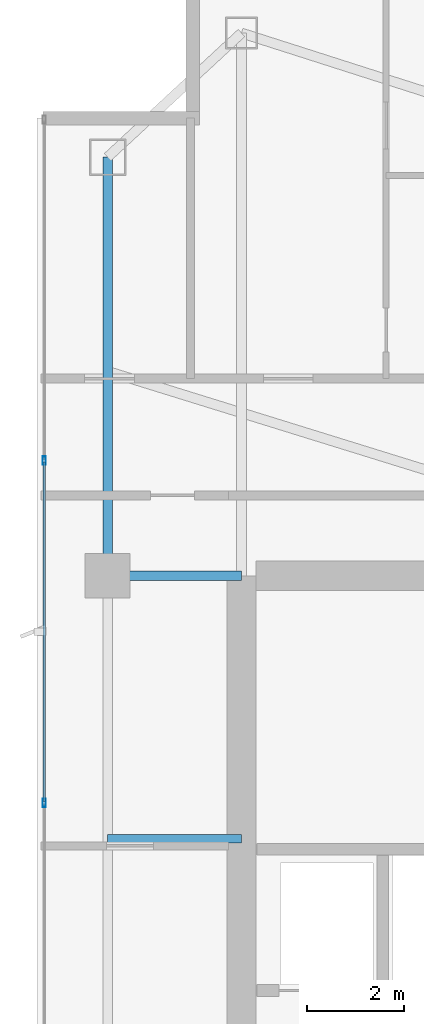
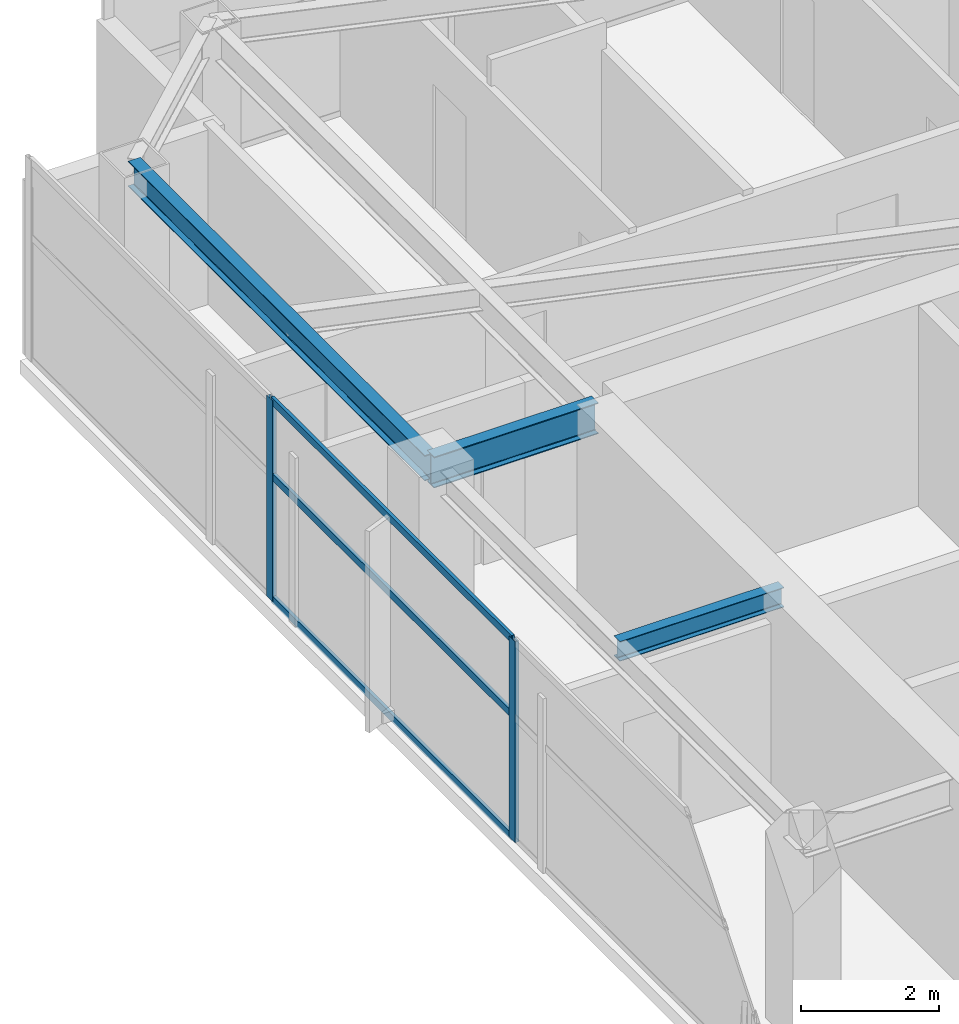
# One storey, part 16 of 28: 5 members, 3 beams, 1 element without a shape of its own.
"""IFC4 building model written with IfcOpenShell, lengths in metres."""

from ifc_helpers import new_model, si_unit, direction, frame, origin, origin_2d, place, context, subcontext, project, spatial, hollow_rectangle, i_section, extrude, material, layer, layer_set, material_profile, profile_set, type_object, element, aggregate, save


model = new_model("IFC4")

# Units and contexts
model_context = context("Model", 3, precision=1e-05, world=origin(), true_north=direction((0.0, 1.0)))
body_context = subcontext(model_context, "Body", "Model", "MODEL_VIEW")
ifc_project = project(units=[si_unit("LENGTHUNIT", "METRE"), si_unit("AREAUNIT", "SQUARE_METRE"), si_unit("VOLUMEUNIT", "CUBIC_METRE"), si_unit("PLANEANGLEUNIT", "RADIAN"), si_unit("MASSUNIT", "GRAM", prefix="KILO")], contexts=[model_context])

# Site, building, storey
site_placement = place(None, origin())
site = spatial("IfcSite", under=ifc_project, at=site_placement, CompositionType="ELEMENT")
building_placement = place(site_placement, origin())
building = spatial("IfcBuilding", under=site, at=building_placement, Name="Calvorn Quay Hotel", CompositionType="ELEMENT")
storey_placement = place(building_placement, frame((0.0, 0.0, 267.300048828125)))
storey = spatial("IfcBuildingStorey", under=building, at=storey_placement, Name="L66", CompositionType="ELEMENT", Elevation=267.300048828125)

# Beams
ifc_material_1 = material(Name="Steel Q355B", Category="steel")
ifc_material_profile_1 = material_profile(ifc_material_1, i_section(OverallWidth=0.199951171875, OverallDepth=0.550048828125, WebThickness=0.010009765625, FlangeThickness=0.01611328125, FilletRadius=0.01806640625, at=origin_2d()), Name="HN550x200x10x16")
ifc_profile_set_1 = profile_set([ifc_material_profile_1], Name="Steel Q355B")
beam_type_1 = type_object("IfcBeamType", Name="BM-GIRD-UPP", PredefinedType="BEAM", material=ifc_profile_set_1)
beam_1_placement = place(storey_placement, frame((1.449951171875, 38.39990234375, 3.264892578125), z_axis=(1.0, 0.0, 0.0), x_axis=(0.0, 1.0, 0.0)))
element("IfcBeam", 1, at=beam_1_placement, inside=storey, type_object=beam_type_1, Name="Beam BG-L66-W3", PredefinedType="BEAM", context=body_context, shape_type="SweptSolid", body=[
    extrude(i_section(OverallWidth=0.199951171875, OverallDepth=0.550048828125, WebThickness=0.010009765625, FlangeThickness=0.01611328125, FilletRadius=0.01806640625, at=origin_2d()), origin(), (0.0, 0.0, 1.0), 2.75),
])
ifc_material_2 = material(Name="Steel Q355B", Category="steel")
ifc_material_profile_2 = material_profile(ifc_material_2, i_section(OverallWidth=0.175048828125, OverallDepth=0.35009765625, WebThickness=0.007080078125, FlangeThickness=0.010986328125, FilletRadius=0.013916015625, at=origin_2d()), Name="HN350x175x7x11")
ifc_profile_set_2 = profile_set([ifc_material_profile_2], Name="Steel Q355B")
beam_type_2 = type_object("IfcBeamType", Name="BM-JOIST-SEC", PredefinedType="JOIST", material=ifc_profile_set_2)
beam_2_placement = place(storey_placement, frame((1.449951171875, 33.0, 3.364990234375), z_axis=(1.0, 0.0, 0.0), x_axis=(0.0, 1.0, 0.0)))
element("IfcBeam", 2, at=beam_2_placement, inside=storey, type_object=beam_type_2, Name="Beam BJ-L66-W4", PredefinedType="JOIST", context=body_context, shape_type="SweptSolid", body=[
    extrude(i_section(OverallWidth=0.175048828125, OverallDepth=0.35009765625, WebThickness=0.007080078125, FlangeThickness=0.010986328125, FilletRadius=0.013916015625, at=origin_2d()), origin(), (0.0, 0.0, 1.0), 2.75),
])
ifc_material_3 = material(Name="Steel Q355B", Category="steel")
ifc_material_profile_3 = material_profile(ifc_material_3, i_section(OverallWidth=0.199951171875, OverallDepth=0.449951171875, WebThickness=0.009033203125, FlangeThickness=0.013916015625, FilletRadius=0.01611328125, at=origin_2d()), Name="HN450x200x9x14")
ifc_profile_set_3 = profile_set([ifc_material_profile_3], Name="Steel Q355B")
beam_type_3 = type_object("IfcBeamType", Name="BM-SPANDREL-Z3", PredefinedType="SPANDREL", material=ifc_profile_set_3)
beam_3_placement = place(storey_placement, frame((1.449951171875, 38.39990234375, 3.31494140625), z_axis=(0.0, 1.0, 0.0), x_axis=(-1.0, 0.0, 0.0)))
element("IfcBeam", 3, at=beam_3_placement, inside=storey, type_object=beam_type_3, Name="Beam BSP-L66-W4", PredefinedType="SPANDREL", context=body_context, shape_type="SweptSolid", body=[
    extrude(i_section(OverallWidth=0.199951171875, OverallDepth=0.449951171875, WebThickness=0.009033203125, FlangeThickness=0.013916015625, FilletRadius=0.01611328125, at=origin_2d()), origin(), (0.0, 0.0, 1.0), 8.60009765625),
])

# Curtain wall, members
ifc_material_4 = material(Name="Champagne Bronze Anodised Aluminium and Low-E Glass", Category="aluminium")
ifc_layer = layer(ifc_material_4, 0.219970703125)
ifc_layer_set = layer_set([ifc_layer], Name="CW-SYS-Z4")
curtain_wall_type = type_object("IfcCurtainWallType", Name="CW-SYS-Z4", PredefinedType="NOTDEFINED", material=ifc_layer_set)
curtain_wall_placement = place(storey_placement, origin())
curtain_wall = element("IfcCurtainWall", 4, at=curtain_wall_placement, inside=storey, type_object=curtain_wall_type, Name="Tower West Curtain Wall (L66)", PredefinedType="NOTDEFINED")
ifc_material_5 = material(Name="Champagne Bronze Anodised Aluminium 6063-T6", Category="aluminium")
ifc_material_profile_4 = material_profile(ifc_material_5, hollow_rectangle(XDim=0.06494140625, YDim=0.169921875, WallThickness=0.00341796875, at=origin_2d()), Name="ALU-M170x65x3.5")
ifc_profile_set_4 = profile_set([ifc_material_profile_4], Name="Champagne Bronze Anodised Aluminium 6063-T6")
member_type_1 = type_object("IfcMemberType", Name="CW-SYS-Z4-MUL", PredefinedType="MULLION", material=ifc_profile_set_4)
member_1_placement = place(storey_placement, frame((0.14990234375, 33.7333984375, 0.0), z_axis=(0.0, 0.0, 1.0), x_axis=(-1.0, 0.0, 0.0)))
member_1 = element("IfcMember", 5, at=member_1_placement, type_object=member_type_1, Name="CW-L66-W mullion 5", PredefinedType="MULLION", context=body_context, shape_type="SweptSolid", body=[
    extrude(hollow_rectangle(XDim=0.06494140625, YDim=0.169921875, WallThickness=0.00341796875, at=origin_2d()), origin(), (0.0, 0.0, 1.0), 3.56005859375),
])
member_2_placement = place(storey_placement, frame((0.14990234375, 40.7666015625, 0.0), z_axis=(0.0, 0.0, 1.0), x_axis=(-1.0, 0.0, 0.0)))
member_2 = element("IfcMember", 6, at=member_2_placement, type_object=member_type_1, Name="CW-L66-W mullion 6", PredefinedType="MULLION", context=body_context, shape_type="SweptSolid", body=[
    extrude(hollow_rectangle(XDim=0.06494140625, YDim=0.169921875, WallThickness=0.00341796875, at=origin_2d()), origin(), (0.0, 0.0, 1.0), 3.56005859375),
])
ifc_material_6 = material(Name="Champagne Bronze Anodised Aluminium 6063-T6", Category="aluminium")
ifc_material_profile_5 = material_profile(ifc_material_6, hollow_rectangle(XDim=0.054931640625, YDim=0.1298828125, WallThickness=0.003173828125, at=origin_2d()), Name="ALU-T130x55x3.2")
ifc_profile_set_5 = profile_set([ifc_material_profile_5], Name="Champagne Bronze Anodised Aluminium 6063-T6")
member_type_2 = type_object("IfcMemberType", Name="CW-SYS-Z4-TRN", PredefinedType="USERDEFINED", material=ifc_profile_set_5)
member_3_placement = place(storey_placement, frame((0.14990234375, 33.763427734375, 0.030029296875), z_axis=(0.0, 1.0, 0.0), x_axis=(-1.0, 0.0, 0.0)))
member_3 = element("IfcMember", 7, at=member_3_placement, type_object=member_type_2, Name="CW-L66-W transom 5.1", ObjectType="TRANSOM", PredefinedType="USERDEFINED", context=body_context, shape_type="SweptSolid", body=[
    extrude(hollow_rectangle(XDim=0.054931640625, YDim=0.1298828125, WallThickness=0.003173828125, at=origin_2d()), origin(), (0.0, 0.0, 1.0), 6.97314453125),
])
member_4_placement = place(storey_placement, frame((0.14990234375, 33.763427734375, 2.199951171875), z_axis=(0.0, 1.0, 0.0), x_axis=(-1.0, 0.0, 0.0)))
member_4 = element("IfcMember", 8, at=member_4_placement, type_object=member_type_2, Name="CW-L66-W transom 5.2", ObjectType="TRANSOM", PredefinedType="USERDEFINED", context=body_context, shape_type="SweptSolid", body=[
    extrude(hollow_rectangle(XDim=0.054931640625, YDim=0.1298828125, WallThickness=0.003173828125, at=origin_2d()), origin(), (0.0, 0.0, 1.0), 6.97314453125),
])
member_5_placement = place(storey_placement, frame((0.14990234375, 33.763427734375, 3.530029296875), z_axis=(0.0, 1.0, 0.0), x_axis=(-1.0, 0.0, 0.0)))
member_5 = element("IfcMember", 9, at=member_5_placement, type_object=member_type_2, Name="CW-L66-W transom 5.3", ObjectType="TRANSOM", PredefinedType="USERDEFINED", context=body_context, shape_type="SweptSolid", body=[
    extrude(hollow_rectangle(XDim=0.054931640625, YDim=0.1298828125, WallThickness=0.003173828125, at=origin_2d()), origin(), (0.0, 0.0, 1.0), 6.97314453125),
])
aggregate(curtain_wall, [member_1, member_2, member_3, member_4, member_5])

save(model, "model.ifc")
